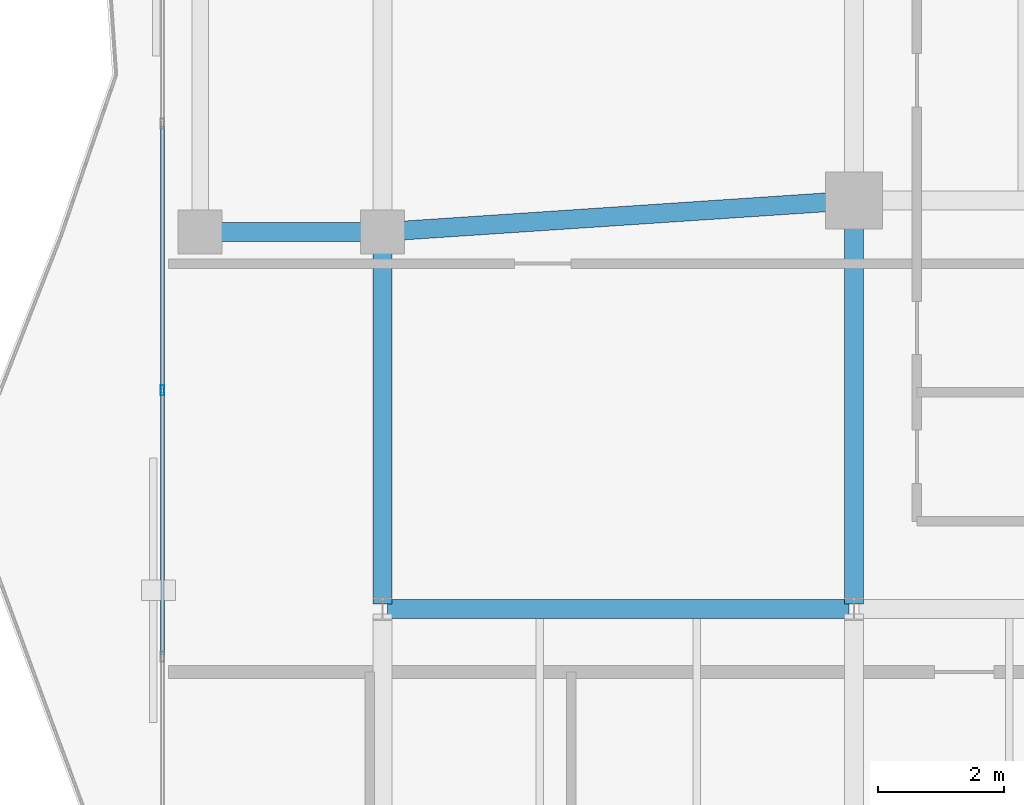
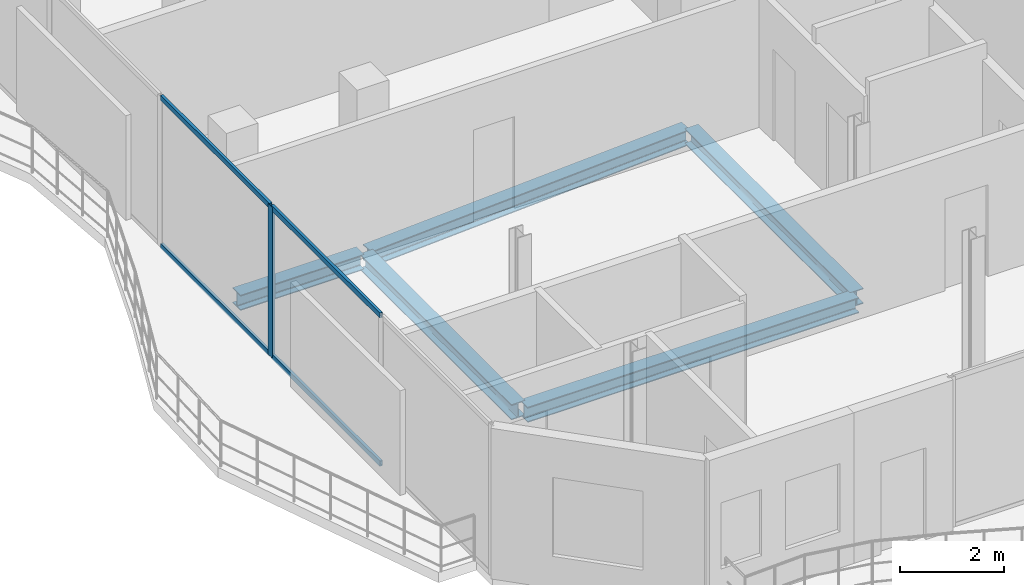
# One storey, part 6 of 23: 5 beams, 5 members, 1 element without a shape of its own.
"""IFC4 building model written with IfcOpenShell, lengths in metres."""

from ifc_helpers import new_model, si_unit, direction, frame, origin, origin_2d, place, context, subcontext, project, spatial, hollow_rectangle, i_section, extrude, material, layer, layer_set, material_profile, profile_set, type_object, element, aggregate, save


model = new_model("IFC4")

# Units and contexts
model_context = context("Model", 3, precision=1e-05, world=origin(), true_north=direction((0.0, 1.0)))
body_context = subcontext(model_context, "Body", "Model", "MODEL_VIEW")
ifc_project = project(units=[si_unit("LENGTHUNIT", "METRE"), si_unit("AREAUNIT", "SQUARE_METRE"), si_unit("VOLUMEUNIT", "CUBIC_METRE"), si_unit("PLANEANGLEUNIT", "RADIAN"), si_unit("MASSUNIT", "GRAM", prefix="KILO")], contexts=[model_context])

# Site, building, storey
site_placement = place(None, origin())
site = spatial("IfcSite", under=ifc_project, at=site_placement, CompositionType="ELEMENT")
building_placement = place(site_placement, origin())
building = spatial("IfcBuilding", under=site, at=building_placement, Name="Catumbela Crestline Tower", CompositionType="ELEMENT")
storey_placement = place(building_placement, frame((0.0, 0.0, 252.6)))
storey = spatial("IfcBuildingStorey", under=building, at=storey_placement, Name="L65", CompositionType="ELEMENT", Elevation=252.6)

# Beams
ifc_material_1 = material(Name="Structural steel S355J2", Category="steel")
ifc_material_profile_1 = material_profile(ifc_material_1, i_section(OverallWidth=0.3, OverallDepth=0.36, WebThickness=0.0125, FlangeThickness=0.0225, FilletRadius=0.027, at=origin_2d()), Name="HEB 360")
ifc_profile_set_1 = profile_set([ifc_material_profile_1], Name="Structural steel S355J2")
beam_type = type_object("IfcBeamType", Name="BG-HEB360", PredefinedType="BEAM", material=ifc_profile_set_1)
beam_1_placement = place(storey_placement, frame((5.68, 24.0, -0.44), z_axis=(1.0, 0.0, 0.0), x_axis=(0.0, 1.0, 0.0)))
element("IfcBeam", 1, at=beam_1_placement, inside=storey, type_object=beam_type, Name="L65 Beam BM-L65-S01", PredefinedType="BEAM", context=body_context, shape_type="SweptSolid", body=[
    extrude(i_section(OverallWidth=0.3, OverallDepth=0.36, WebThickness=0.0125, FlangeThickness=0.0225, FilletRadius=0.027, at=origin_2d()), origin(), (0.0, 0.0, 1.0), 2.74),
])
beam_2_placement = place(storey_placement, frame((8.5798, 24.0053, -0.44), z_axis=(0.997784796964, 0.066524423687, 0.0), x_axis=(-0.066524423687, 0.997784796964, 0.0)))
element("IfcBeam", 2, at=beam_2_placement, inside=storey, type_object=beam_type, Name="L65 Beam BM-L65-S02", PredefinedType="BEAM", context=body_context, shape_type="SweptSolid", body=[
    extrude(i_section(OverallWidth=0.3, OverallDepth=0.36, WebThickness=0.0125, FlangeThickness=0.0225, FilletRadius=0.027, at=origin_2d()), origin(), (0.0, 0.0, 1.0), 7.3567),
])
beam_3_placement = place(storey_placement, frame((8.58, 18.0, -0.44), z_axis=(1.0, 0.0, 0.0), x_axis=(0.0, 1.0, 0.0)))
element("IfcBeam", 3, at=beam_3_placement, inside=storey, type_object=beam_type, Name="L65 Beam BM-L65-WEW29", PredefinedType="BEAM", context=body_context, shape_type="SweptSolid", body=[
    extrude(i_section(OverallWidth=0.3, OverallDepth=0.36, WebThickness=0.0125, FlangeThickness=0.0225, FilletRadius=0.027, at=origin_2d()), origin(), (0.0, 0.0, 1.0), 7.34),
])
beam_4_placement = place(storey_placement, frame((8.5, 18.08, -0.44), z_axis=(0.0, 1.0, 0.0), x_axis=(-1.0, 0.0, 0.0)))
element("IfcBeam", 4, at=beam_4_placement, inside=storey, type_object=beam_type, Name="L65 Beam BM-L65-WNS32", PredefinedType="BEAM", context=body_context, shape_type="SweptSolid", body=[
    extrude(i_section(OverallWidth=0.3, OverallDepth=0.36, WebThickness=0.0125, FlangeThickness=0.0225, FilletRadius=0.027, at=origin_2d()), origin(), (0.0, 0.0, 1.0), 5.84),
])
beam_5_placement = place(storey_placement, frame((16.0, 18.08, -0.44), z_axis=(0.0, 1.0, 0.0), x_axis=(-1.0, 0.0, 0.0)))
element("IfcBeam", 5, at=beam_5_placement, inside=storey, type_object=beam_type, Name="L65 Beam BM-L65-WNS34", PredefinedType="BEAM", context=body_context, shape_type="SweptSolid", body=[
    extrude(i_section(OverallWidth=0.3, OverallDepth=0.36, WebThickness=0.0125, FlangeThickness=0.0225, FilletRadius=0.027, at=origin_2d()), origin(), (0.0, 0.0, 1.0), 6.34),
])

# Curtain wall, members
ifc_material_2 = material(Name="Aluminium alloy AW-6060-T66", Category="aluminium")
ifc_layer = layer(ifc_material_2, 0.18, Name="Aluminium alloy AW-6060-T66")
ifc_layer_set = layer_set([ifc_layer], Name="Aluminium alloy AW-6060-T66")
curtain_wall_type = type_object("IfcCurtainWallType", Name="CWU-Z4", PredefinedType="USERDEFINED", material=ifc_layer_set)
curtain_wall_placement = place(storey_placement, origin())
curtain_wall = element("IfcCurtainWall", 6, at=curtain_wall_placement, inside=storey, type_object=curtain_wall_type, Name="L65 Unitised Curtain Wall CW-L65-E9S2", ObjectType="UNITISED", PredefinedType="USERDEFINED")
ifc_material_profile_2 = material_profile(ifc_material_2, hollow_rectangle(XDim=0.06, YDim=0.16, WallThickness=0.004, at=origin_2d()), Name="ALU 160x60x4")
ifc_profile_set_2 = profile_set([ifc_material_profile_2], Name="Aluminium alloy AW-6060-T66")
member_type_1 = type_object("IfcMemberType", Name="MUL-160X60", PredefinedType="MULLION", material=ifc_profile_set_2)
member_1_placement = place(storey_placement, frame((5.0, 21.48, 0.0), z_axis=(0.0, 0.0, 1.0), x_axis=(1.0, 0.0, 0.0)))
member_1 = element("IfcMember", 7, at=member_1_placement, type_object=member_type_1, Name="CWU-Z4 mullion 4", PredefinedType="MULLION", context=body_context, shape_type="SweptSolid", body=[
    extrude(hollow_rectangle(XDim=0.06, YDim=0.16, WallThickness=0.004, at=origin_2d()), origin(), (0.0, 0.0, 1.0), 3.53),
])
ifc_material_profile_3 = material_profile(ifc_material_2, hollow_rectangle(XDim=0.06, YDim=0.12, WallThickness=0.0035, at=origin_2d()), Name="ALU 120x60x3.5")
ifc_profile_set_3 = profile_set([ifc_material_profile_3], Name="Aluminium alloy AW-6060-T66")
member_type_2 = type_object("IfcMemberType", Name="TRN-120X60", PredefinedType="USERDEFINED", material=ifc_profile_set_3)
member_2_placement = place(storey_placement, frame((5.0, 25.6875, 0.03), z_axis=(0.0, -1.0, 0.0), x_axis=(1.0, 0.0, 0.0)))
member_2 = element("IfcMember", 8, at=member_2_placement, type_object=member_type_2, Name="CWU-Z4 transom 3.1", ObjectType="TRANSOM", PredefinedType="USERDEFINED", context=body_context, shape_type="SweptSolid", body=[
    extrude(hollow_rectangle(XDim=0.06, YDim=0.12, WallThickness=0.0035, at=origin_2d()), origin(), (0.0, 0.0, 1.0), 4.175),
])
member_3_placement = place(storey_placement, frame((5.0, 25.6875, 3.5), z_axis=(0.0, -1.0, 0.0), x_axis=(1.0, 0.0, 0.0)))
member_3 = element("IfcMember", 9, at=member_3_placement, type_object=member_type_2, Name="CWU-Z4 transom 3.2", ObjectType="TRANSOM", PredefinedType="USERDEFINED", context=body_context, shape_type="SweptSolid", body=[
    extrude(hollow_rectangle(XDim=0.06, YDim=0.12, WallThickness=0.0035, at=origin_2d()), origin(), (0.0, 0.0, 1.0), 4.175),
])
member_4_placement = place(storey_placement, frame((5.0, 21.4475, 0.03), z_axis=(0.0, -1.0, 0.0), x_axis=(1.0, 0.0, 0.0)))
member_4 = element("IfcMember", 10, at=member_4_placement, type_object=member_type_2, Name="CWU-Z4 transom 4.1", ObjectType="TRANSOM", PredefinedType="USERDEFINED", context=body_context, shape_type="SweptSolid", body=[
    extrude(hollow_rectangle(XDim=0.06, YDim=0.12, WallThickness=0.0035, at=origin_2d()), origin(), (0.0, 0.0, 1.0), 4.175),
])
member_5_placement = place(storey_placement, frame((5.0, 21.4475, 3.5), z_axis=(0.0, -1.0, 0.0), x_axis=(1.0, 0.0, 0.0)))
member_5 = element("IfcMember", 11, at=member_5_placement, type_object=member_type_2, Name="CWU-Z4 transom 4.2", ObjectType="TRANSOM", PredefinedType="USERDEFINED", context=body_context, shape_type="SweptSolid", body=[
    extrude(hollow_rectangle(XDim=0.06, YDim=0.12, WallThickness=0.0035, at=origin_2d()), origin(), (0.0, 0.0, 1.0), 4.175),
])
aggregate(curtain_wall, [member_1, member_2, member_3, member_4, member_5])

save(model, "model.ifc")
